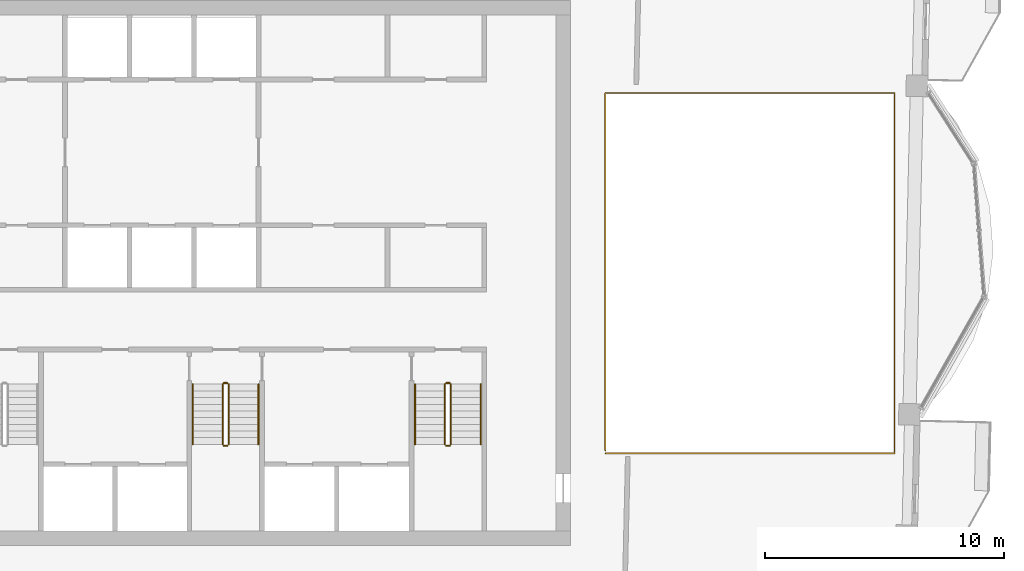
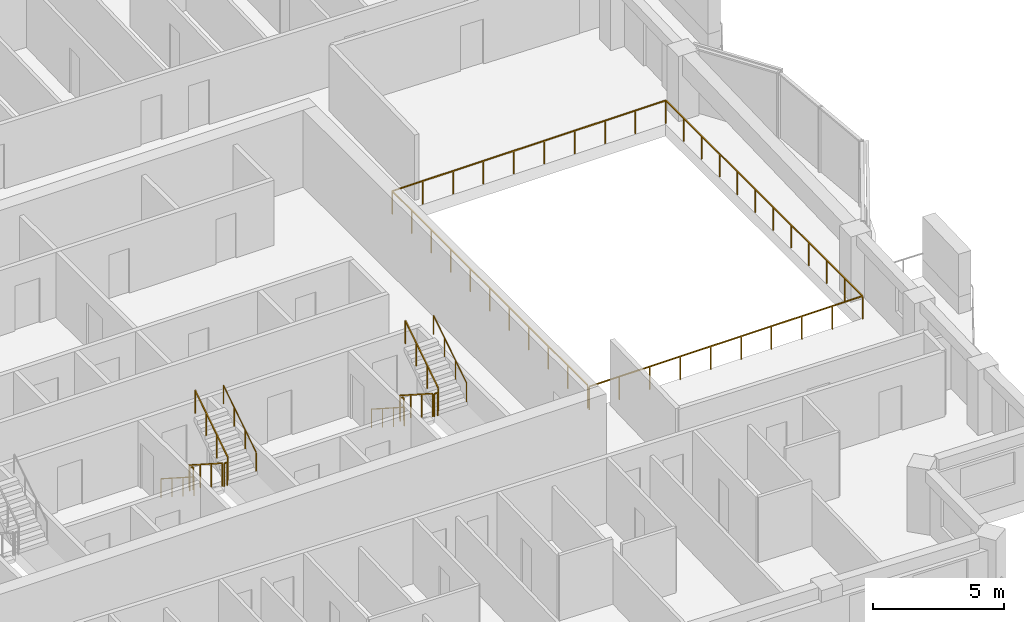
# One storey, part 14 of 15: 13 railings.
"""IFC4 building model written with IfcOpenShell, lengths in metres."""

import ifcopenshell
import ifcopenshell.guid

model = None  # the IFC model being written
_history = None  # IfcOwnerHistory: only IFC2X3 demands one
_inside = {}  # id of a spatial element -> (the spatial element, [elements in it])
_under = {}  # id of a project, library or spatial element -> (it, [spatial elements below it])
_declared = {}  # id of a project -> (the project, [libraries it declares])
_typed = {}  # id of a type object -> (the type object, [elements of that type])
_made_of = {}  # id of a material, layer set ... -> (it, [elements and type objects made of it])


def new_model(schema):
    """Start an empty IFC model of exactly this schema.

    Asked for "IFC4X3", IfcOpenShell would pick the latest addendum, in which some entities
    have other attributes; the version numbers below select the first issue.
    IFC2X3 requires an IfcOwnerHistory on every rooted entity: one is made here for all.
    """
    global model, _history
    if schema == "IFC4X3":
        model = ifcopenshell.file(schema_version=(4, 3, 0, 0))
    else:
        model = ifcopenshell.file(schema=schema)
    _inside.clear()
    _under.clear()
    _declared.clear()
    _typed.clear()
    _made_of.clear()
    _history = None
    if model.schema == "IFC2X3":
        org = make("IfcOrganization", Name="unknown")
        user = make(
            "IfcPersonAndOrganization",
            ThePerson=make("IfcPerson", FamilyName="unknown"),
            TheOrganization=org,
        )
        app = make(
            "IfcApplication",
            ApplicationDeveloper=org,
            Version="unknown",
            ApplicationFullName="unknown",
            ApplicationIdentifier="unknown",
        )
        _history = make(
            "IfcOwnerHistory",
            OwningUser=user,
            OwningApplication=app,
            ChangeAction="ADDED",
            CreationDate=0,
        )
    return model


def make(cls, **values):
    """One entity of the class cls with the attributes given. An attribute that is None is left unset."""
    return model.create_entity(
        cls, **{name: value for name, value in values.items() if value is not None}
    )


def rooted(cls, **values):
    """An entity with a GlobalId (a new one), such as an element, a storey or a relation."""
    return make(cls, GlobalId=ifcopenshell.guid.new(), OwnerHistory=_history, **values)


def si_unit(unit_type, name, prefix=None):
    """IfcSIUnit, for example si_unit("LENGTHUNIT", "METRE", prefix="MILLI")."""
    return make("IfcSIUnit", UnitType=unit_type, Prefix=prefix, Name=name)


def assignment(units):
    """IfcUnitAssignment: the units of a project."""
    return None if units is None else make("IfcUnitAssignment", Units=units)


def point(xyz):
    """IfcCartesianPoint."""
    return None if xyz is None else make("IfcCartesianPoint", Coordinates=xyz)


def direction(xyz):
    """IfcDirection."""
    return None if xyz is None else make("IfcDirection", DirectionRatios=xyz)


def frame(location, z_axis=None, x_axis=None):
    """IfcAxis2Placement3D, a coordinate frame: its origin and axes. An axis left out is left unset."""
    return make(
        "IfcAxis2Placement3D",
        Location=point(location),
        Axis=direction(z_axis),
        RefDirection=direction(x_axis),
    )


def frame_2d(location, x_axis=None):
    """IfcAxis2Placement2D, a coordinate frame in the plane: its origin and x axis."""
    return make(
        "IfcAxis2Placement2D", Location=point(location), RefDirection=direction(x_axis)
    )


def origin():
    """The frame at (0, 0, 0) with its axes left unset."""
    return frame((0.0, 0.0, 0.0))


def origin_2d():
    """The frame at (0, 0) in the plane with its x axis left unset."""
    return frame_2d((0.0, 0.0))


def place(relative_to, where):
    """IfcLocalPlacement: puts the frame where relative to a parent placement (None: the world)."""
    return make(
        "IfcLocalPlacement", PlacementRelTo=relative_to, RelativePlacement=where
    )


def context(
    kind, dimensions, precision=None, world=None, true_north=None, identifier=None
):
    """IfcGeometricRepresentationContext, for example the 3D "Model" context."""
    return make(
        "IfcGeometricRepresentationContext",
        ContextIdentifier=identifier,
        ContextType=kind,
        CoordinateSpaceDimension=dimensions,
        Precision=precision,
        WorldCoordinateSystem=world,
        TrueNorth=true_north,
    )


def subcontext(parent, identifier, kind, view, scale=None):
    """IfcGeometricRepresentationSubContext, for example "Body" below "Model"."""
    return make(
        "IfcGeometricRepresentationSubContext",
        ContextIdentifier=identifier,
        ContextType=kind,
        ParentContext=parent,
        TargetScale=scale,
        TargetView=view,
    )


def project(units=None, contexts=None):
    """IfcProject with its units and contexts."""
    return rooted(
        "IfcProject",
        Name="project",
        RepresentationContexts=contexts,
        UnitsInContext=assignment(units),
    )


def spatial(cls, under=None, at=None, **own):
    """A site, building, storey or space (cls), placed at a placement, below another one or the project."""
    s = rooted(cls, ObjectPlacement=at, **own)
    if under is not None:
        _under.setdefault(under.id(), (under, []))[1].append(s)
    return s


def profile(cls, at=None, kind="AREA", **sizes):
    """A parametric profile (cls). Its sizes go by their IFC names, for example OverallWidth=200.0."""
    return make(cls, ProfileType=kind, Position=at, **sizes)


def rectangle(**sizes):
    """IfcRectangleProfileDef."""
    return profile("IfcRectangleProfileDef", **sizes)


def circle(**sizes):
    """IfcCircleProfileDef."""
    return profile("IfcCircleProfileDef", **sizes)


def extrude(swept, where, along, depth):
    """IfcExtrudedAreaSolid: the profile swept, set in the frame where, extruded along a direction by depth."""
    return make(
        "IfcExtrudedAreaSolid",
        SweptArea=swept,
        Position=where,
        ExtrudedDirection=direction(along),
        Depth=depth,
    )


def shape(context_of_items, identifier, shape_type, items):
    """IfcShapeRepresentation: the items that make up one representation, for example the "Body"."""
    return make(
        "IfcShapeRepresentation",
        ContextOfItems=context_of_items,
        RepresentationIdentifier=identifier,
        RepresentationType=shape_type,
        Items=items,
    )


def material(Name=None, Category=None):
    """IfcMaterial."""
    return make("IfcMaterial", Name=Name, Category=Category)


def made_of(thing, what):
    """Note that an element or type object is made of a material, layer set ...; save() writes the relation."""
    if what is not None:
        _made_of.setdefault(what.id(), (what, []))[1].append(thing)
    return thing


def type_object(cls, material=None, **own):
    """A type object (cls), such as IfcWallType, which elements share."""
    return made_of(rooted(cls, **own), material)


def element(
    cls,
    number,
    at=None,
    inside=None,
    cuts=None,
    type_object=None,
    material=None,
    context=None,
    identifier="Body",
    shape_type=None,
    held_by="IfcProductDefinitionShape",
    body=None,
    shapes=None,
    **own,
):
    """One element of the class cls, such as IfcWall. Its Tag is "e" and its number.

    at: its placement. inside: the storey or other place that contains it. cuts: it is an
    opening in that element (IfcRelVoidsElement). A single representation is given by context,
    identifier, shape_type and body (its items); several are given by shapes. held_by: the class
    of the entity that holds the representations. save() writes the other relations.
    """
    e = rooted(cls, Tag="e%d" % number, ObjectPlacement=at, **own)
    if body is not None:
        shapes = [shape(context, identifier, shape_type, body)]
    if shapes is not None:
        e.Representation = make(held_by, Representations=shapes)
    if inside is not None:
        _inside.setdefault(inside.id(), (inside, []))[1].append(e)
    if cuts is not None:
        rooted(
            "IfcRelVoidsElement", RelatingBuildingElement=cuts, RelatedOpeningElement=e
        )
    if type_object is not None:
        _typed.setdefault(type_object.id(), (type_object, []))[1].append(e)
    return made_of(e, material)


def aggregate(whole, parts):
    """IfcRelAggregates: a whole, such as a stair, and the parts it consists of."""
    return rooted("IfcRelAggregates", RelatingObject=whole, RelatedObjects=parts)


def save(model, path):
    """Write the relations noted so far, then the file.

    IfcRelAggregates (storeys below a building ...), IfcRelContainedInSpatialStructure (elements
    in a storey), IfcRelDefinesByType, IfcRelAssociatesMaterial and IfcRelDeclares: one each for
    every whole, place, type object, material and project.
    """
    for whole, parts in _under.values():
        aggregate(whole, parts)
    for where, things in _inside.values():
        rooted(
            "IfcRelContainedInSpatialStructure",
            RelatedElements=things,
            RelatingStructure=where,
        )
    for kind, things in _typed.values():
        rooted("IfcRelDefinesByType", RelatedObjects=things, RelatingType=kind)
    for what, things in _made_of.values():
        rooted("IfcRelAssociatesMaterial", RelatedObjects=things, RelatingMaterial=what)
    for by, libraries in _declared.values():
        rooted("IfcRelDeclares", RelatingContext=by, RelatedDefinitions=libraries)
    model.write(path)


model = new_model("IFC4")

# Units and contexts
model_context = context("Model", 3, precision=1e-05, world=origin(), true_north=direction((0.0, 1.0)))
body_context = subcontext(model_context, "Body", "Model", "MODEL_VIEW")
ifc_project = project(units=[si_unit("LENGTHUNIT", "METRE"), si_unit("AREAUNIT", "SQUARE_METRE"), si_unit("VOLUMEUNIT", "CUBIC_METRE"), si_unit("PLANEANGLEUNIT", "RADIAN"), si_unit("MASSUNIT", "GRAM", prefix="KILO")], contexts=[model_context])

# Site, building, storey
site_placement = place(None, origin())
site = spatial("IfcSite", under=ifc_project, at=site_placement, CompositionType="ELEMENT")
building_placement = place(site_placement, origin())
building = spatial("IfcBuilding", under=site, at=building_placement, Name="Mangrove Gate Tower", CompositionType="ELEMENT")
storey_placement = place(building_placement, frame((0.0, 0.0, 306.10009765625)))
storey = spatial("IfcBuildingStorey", under=building, at=storey_placement, Name="L78", CompositionType="ELEMENT", Elevation=306.10009765625)

# Railings
ifc_material_1 = material(Name="Stainless steel grade 316 with laminated glass infill", Category="steel")
railing_type_1 = type_object("IfcRailingType", Name="Balcony guard 1100", PredefinedType="GUARDRAIL", material=ifc_material_1)
railing_1_placement = place(storey_placement, frame((15.860107421875, -7.5400390625, 0.0)))
element("IfcRailing", 1, at=railing_1_placement, inside=storey, type_object=railing_type_1, Name="GUARD L78 atrium", PredefinedType="GUARDRAIL", context=body_context, shape_type="SweptSolid", body=[
    extrude(rectangle(XDim=0.048095703125, YDim=0.048095703125, at=origin_2d()), frame((0.0, 0.0, 1.076171875), z_axis=(1.0, 0.0, 0.0), x_axis=(0.0, 1.0, 0.0)), (0.0, 0.0, 1.0), 12.101806640625),
    extrude(rectangle(XDim=0.048095703125, YDim=0.048095703125, at=origin_2d()), frame((12.101806640625, 0.0, 1.076171875), z_axis=(0.0, 1.0, 0.0), x_axis=(-1.0, 0.0, 0.0)), (0.0, 0.0, 1.0), 15.080078125),
    extrude(rectangle(XDim=0.048095703125, YDim=0.048095703125, at=origin_2d()), frame((12.101806640625, 15.080078125, 1.076171875), z_axis=(-1.0, 0.0, 0.0), x_axis=(0.0, -1.0, 0.0)), (0.0, 0.0, 1.0), 12.101806640625),
    extrude(rectangle(XDim=0.048095703125, YDim=0.048095703125, at=origin_2d()), frame((0.0, 15.080078125, 1.076171875), z_axis=(0.0, -1.0, 0.0), x_axis=(1.0, 0.0, 0.0)), (0.0, 0.0, 1.0), 14.9599609375),
    extrude(rectangle(XDim=0.0419921875, YDim=0.0419921875, at=origin_2d()), origin(), (0.0, 0.0, 1.0), 1.052001953125),
    extrude(rectangle(XDim=0.0419921875, YDim=0.0419921875, at=origin_2d()), frame((1.3447265625, 0.0, 0.0)), (0.0, 0.0, 1.0), 1.052001953125),
    extrude(rectangle(XDim=0.0419921875, YDim=0.0419921875, at=origin_2d()), frame((2.689208984375, 0.0, 0.0)), (0.0, 0.0, 1.0), 1.052001953125),
    extrude(rectangle(XDim=0.0419921875, YDim=0.0419921875, at=origin_2d()), frame((4.033935546875, 0.0, 0.0)), (0.0, 0.0, 1.0), 1.052001953125),
    extrude(rectangle(XDim=0.0419921875, YDim=0.0419921875, at=origin_2d()), frame((5.378662109375, 0.0, 0.0)), (0.0, 0.0, 1.0), 1.052001953125),
    extrude(rectangle(XDim=0.0419921875, YDim=0.0419921875, at=origin_2d()), frame((6.72314453125, 0.0, 0.0)), (0.0, 0.0, 1.0), 1.052001953125),
    extrude(rectangle(XDim=0.0419921875, YDim=0.0419921875, at=origin_2d()), frame((8.06787109375, 0.0, 0.0)), (0.0, 0.0, 1.0), 1.052001953125),
    extrude(rectangle(XDim=0.0419921875, YDim=0.0419921875, at=origin_2d()), frame((9.41259765625, 0.0, 0.0)), (0.0, 0.0, 1.0), 1.052001953125),
    extrude(rectangle(XDim=0.0419921875, YDim=0.0419921875, at=origin_2d()), frame((10.757080078125, 0.0, 0.0)), (0.0, 0.0, 1.0), 1.052001953125),
    extrude(rectangle(XDim=0.0419921875, YDim=0.0419921875, at=origin_2d()), frame((12.101806640625, 0.0, 0.0)), (0.0, 0.0, 1.0), 1.052001953125),
    extrude(rectangle(XDim=0.0419921875, YDim=0.0419921875, at=origin_2d()), frame((12.101806640625, 1.370849609375, 0.0)), (0.0, 0.0, 1.0), 1.052001953125),
    extrude(rectangle(XDim=0.0419921875, YDim=0.0419921875, at=origin_2d()), frame((12.101806640625, 2.741943359375, 0.0)), (0.0, 0.0, 1.0), 1.052001953125),
    extrude(rectangle(XDim=0.0419921875, YDim=0.0419921875, at=origin_2d()), frame((12.101806640625, 4.11279296875, 0.0)), (0.0, 0.0, 1.0), 1.052001953125),
    extrude(rectangle(XDim=0.0419921875, YDim=0.0419921875, at=origin_2d()), frame((12.101806640625, 5.483642578125, 0.0)), (0.0, 0.0, 1.0), 1.052001953125),
    extrude(rectangle(XDim=0.0419921875, YDim=0.0419921875, at=origin_2d()), frame((12.101806640625, 6.8544921875, 0.0)), (0.0, 0.0, 1.0), 1.052001953125),
    extrude(rectangle(XDim=0.0419921875, YDim=0.0419921875, at=origin_2d()), frame((12.101806640625, 8.2255859375, 0.0)), (0.0, 0.0, 1.0), 1.052001953125),
    extrude(rectangle(XDim=0.0419921875, YDim=0.0419921875, at=origin_2d()), frame((12.101806640625, 9.596435546875, 0.0)), (0.0, 0.0, 1.0), 1.052001953125),
    extrude(rectangle(XDim=0.0419921875, YDim=0.0419921875, at=origin_2d()), frame((12.101806640625, 10.96728515625, 0.0)), (0.0, 0.0, 1.0), 1.052001953125),
    extrude(rectangle(XDim=0.0419921875, YDim=0.0419921875, at=origin_2d()), frame((12.101806640625, 12.338134765625, 0.0)), (0.0, 0.0, 1.0), 1.052001953125),
    extrude(rectangle(XDim=0.0419921875, YDim=0.0419921875, at=origin_2d()), frame((12.101806640625, 13.709228515625, 0.0)), (0.0, 0.0, 1.0), 1.052001953125),
    extrude(rectangle(XDim=0.0419921875, YDim=0.0419921875, at=origin_2d()), frame((12.101806640625, 15.080078125, 0.0)), (0.0, 0.0, 1.0), 1.052001953125),
    extrude(rectangle(XDim=0.0419921875, YDim=0.0419921875, at=origin_2d()), frame((10.757080078125, 15.080078125, 0.0)), (0.0, 0.0, 1.0), 1.052001953125),
    extrude(rectangle(XDim=0.0419921875, YDim=0.0419921875, at=origin_2d()), frame((9.41259765625, 15.080078125, 0.0)), (0.0, 0.0, 1.0), 1.052001953125),
    extrude(rectangle(XDim=0.0419921875, YDim=0.0419921875, at=origin_2d()), frame((8.06787109375, 15.080078125, 0.0)), (0.0, 0.0, 1.0), 1.052001953125),
    extrude(rectangle(XDim=0.0419921875, YDim=0.0419921875, at=origin_2d()), frame((6.72314453125, 15.080078125, 0.0)), (0.0, 0.0, 1.0), 1.052001953125),
    extrude(rectangle(XDim=0.0419921875, YDim=0.0419921875, at=origin_2d()), frame((5.378662109375, 15.080078125, 0.0)), (0.0, 0.0, 1.0), 1.052001953125),
    extrude(rectangle(XDim=0.0419921875, YDim=0.0419921875, at=origin_2d()), frame((4.033935546875, 15.080078125, 0.0)), (0.0, 0.0, 1.0), 1.052001953125),
    extrude(rectangle(XDim=0.0419921875, YDim=0.0419921875, at=origin_2d()), frame((2.689208984375, 15.080078125, 0.0)), (0.0, 0.0, 1.0), 1.052001953125),
    extrude(rectangle(XDim=0.0419921875, YDim=0.0419921875, at=origin_2d()), frame((1.3447265625, 15.080078125, 0.0)), (0.0, 0.0, 1.0), 1.052001953125),
    extrude(rectangle(XDim=0.0419921875, YDim=0.0419921875, at=origin_2d()), frame((0.0, 15.080078125, 0.0)), (0.0, 0.0, 1.0), 1.052001953125),
    extrude(rectangle(XDim=0.0419921875, YDim=0.0419921875, at=origin_2d()), frame((0.0, 13.583984375, 0.0)), (0.0, 0.0, 1.0), 1.052001953125),
    extrude(rectangle(XDim=0.0419921875, YDim=0.0419921875, at=origin_2d()), frame((0.0, 12.088134765625, 0.0)), (0.0, 0.0, 1.0), 1.052001953125),
    extrude(rectangle(XDim=0.0419921875, YDim=0.0419921875, at=origin_2d()), frame((0.0, 10.592041015625, 0.0)), (0.0, 0.0, 1.0), 1.052001953125),
    extrude(rectangle(XDim=0.0419921875, YDim=0.0419921875, at=origin_2d()), frame((0.0, 9.09619140625, 0.0)), (0.0, 0.0, 1.0), 1.052001953125),
    extrude(rectangle(XDim=0.0419921875, YDim=0.0419921875, at=origin_2d()), frame((0.0, 7.60009765625, 0.0)), (0.0, 0.0, 1.0), 1.052001953125),
    extrude(rectangle(XDim=0.0419921875, YDim=0.0419921875, at=origin_2d()), frame((0.0, 6.10400390625, 0.0)), (0.0, 0.0, 1.0), 1.052001953125),
    extrude(rectangle(XDim=0.0419921875, YDim=0.0419921875, at=origin_2d()), frame((0.0, 4.608154296875, 0.0)), (0.0, 0.0, 1.0), 1.052001953125),
    extrude(rectangle(XDim=0.0419921875, YDim=0.0419921875, at=origin_2d()), frame((0.0, 3.112060546875, 0.0)), (0.0, 0.0, 1.0), 1.052001953125),
    extrude(rectangle(XDim=0.0419921875, YDim=0.0419921875, at=origin_2d()), frame((0.0, 1.6162109375, 0.0)), (0.0, 0.0, 1.0), 1.052001953125),
    extrude(rectangle(XDim=0.0419921875, YDim=0.0419921875, at=origin_2d()), frame((0.0, 0.1201171875, 0.0)), (0.0, 0.0, 1.0), 1.052001953125),
])
ifc_material_2 = material(Name="Stainless steel 316", Category="steel")
railing_type_2 = type_object("IfcRailingType", Name="Core stair guard 1100", PredefinedType="GUARDRAIL", material=ifc_material_2)
railing_2_placement = place(storey_placement, frame((-0.14990234375, -4.64990234375, 0.179931640625)))
element("IfcRailing", 2, at=railing_2_placement, inside=storey, type_object=railing_type_2, Name="L78 ST2 stair guard 1", PredefinedType="GUARDRAIL", context=body_context, shape_type="SweptSolid", body=[
    extrude(rectangle(XDim=0.048095703125, YDim=0.048095703125, at=origin_2d()), frame((0.0, 0.0, 1.076171875), z_axis=(0.0, -0.841199657755, 0.540724639528), x_axis=(1.0, 0.0, 0.0)), (0.0, 0.0, 1.0), 2.995849609375),
    extrude(rectangle(XDim=0.0419921875, YDim=0.0419921875, at=origin_2d()), origin(), (0.0, 0.0, 1.0), 1.052001953125),
    extrude(rectangle(XDim=0.0419921875, YDim=0.0419921875, at=origin_2d()), frame((0.0, -0.840087890625, 0.5400390625)), (0.0, 0.0, 1.0), 1.052001953125),
    extrude(rectangle(XDim=0.0419921875, YDim=0.0419921875, at=origin_2d()), frame((0.0, -1.679931640625, 1.079833984375)), (0.0, 0.0, 1.0), 1.052001953125),
    extrude(rectangle(XDim=0.0419921875, YDim=0.0419921875, at=origin_2d()), frame((0.0, -2.52001953125, 1.619873046875)), (0.0, 0.0, 1.0), 1.052001953125),
])
railing_3_placement = place(storey_placement, frame((-0.10009765625, -7.219970703125, 1.7998046875)))
element("IfcRailing", 3, at=railing_3_placement, inside=storey, type_object=railing_type_2, Name="L78 ST2 stair guard 2", PredefinedType="GUARDRAIL", context=body_context, shape_type="SweptSolid", body=[
    extrude(rectangle(XDim=0.048095703125, YDim=0.048095703125, at=origin_2d()), frame((0.0, 0.0, 1.076171875), z_axis=(1.0, 0.0, 0.0), x_axis=(0.0, 1.0, 0.0)), (0.0, 0.0, 1.0), 0.150146484375),
    extrude(rectangle(XDim=0.0419921875, YDim=0.0419921875, at=origin_2d()), origin(), (0.0, 0.0, 1.0), 1.052001953125),
    extrude(rectangle(XDim=0.0419921875, YDim=0.0419921875, at=origin_2d()), frame((0.150146484375, 0.0, 0.0)), (0.0, 0.0, 1.0), 1.052001953125),
])
railing_4_placement = place(storey_placement, frame((0.10009765625, -7.169921875, 1.97998046875)))
element("IfcRailing", 4, at=railing_4_placement, inside=storey, type_object=railing_type_2, Name="L78 ST2 stair guard 3", PredefinedType="GUARDRAIL", context=body_context, shape_type="SweptSolid", body=[
    extrude(rectangle(XDim=0.048095703125, YDim=0.048095703125, at=origin_2d()), frame((0.0, 0.0, 1.076171875), z_axis=(0.0, 0.841199657755, 0.540724639528), x_axis=(-1.0, 0.0, 0.0)), (0.0, 0.0, 1.0), 2.995849609375),
    extrude(rectangle(XDim=0.0419921875, YDim=0.0419921875, at=origin_2d()), origin(), (0.0, 0.0, 1.0), 1.052001953125),
    extrude(rectangle(XDim=0.0419921875, YDim=0.0419921875, at=origin_2d()), frame((0.0, 0.840087890625, 0.5400390625)), (0.0, 0.0, 1.0), 1.052001953125),
    extrude(rectangle(XDim=0.0419921875, YDim=0.0419921875, at=origin_2d()), frame((0.0, 1.679931640625, 1.079833984375)), (0.0, 0.0, 1.0), 1.052001953125),
    extrude(rectangle(XDim=0.0419921875, YDim=0.0419921875, at=origin_2d()), frame((0.0, 2.52001953125, 1.619873046875)), (0.0, 0.0, 1.0), 1.052001953125),
])
railing_5_placement = place(storey_placement, frame((-0.10009765625, -4.60009765625, 0.0)))
element("IfcRailing", 5, at=railing_5_placement, inside=storey, type_object=railing_type_2, Name="L78 ST2 stair guard 4", PredefinedType="GUARDRAIL", context=body_context, shape_type="SweptSolid", body=[
    extrude(rectangle(XDim=0.048095703125, YDim=0.048095703125, at=origin_2d()), frame((0.0, 0.0, 1.076171875), z_axis=(1.0, 0.0, 0.0), x_axis=(0.0, 1.0, 0.0)), (0.0, 0.0, 1.0), 0.150146484375),
    extrude(rectangle(XDim=0.0419921875, YDim=0.0419921875, at=origin_2d()), origin(), (0.0, 0.0, 1.0), 1.052001953125),
    extrude(rectangle(XDim=0.0419921875, YDim=0.0419921875, at=origin_2d()), frame((0.150146484375, 0.0, 0.0)), (0.0, 0.0, 1.0), 1.052001953125),
])
railing_6_placement = place(storey_placement, frame((9.14990234375, -4.64990234375, 0.179931640625)))
element("IfcRailing", 6, at=railing_6_placement, inside=storey, type_object=railing_type_2, Name="L78 ST3 stair guard 1", PredefinedType="GUARDRAIL", context=body_context, shape_type="SweptSolid", body=[
    extrude(rectangle(XDim=0.048095703125, YDim=0.048095703125, at=origin_2d()), frame((0.0, 0.0, 1.076171875), z_axis=(0.0, -0.841199657755, 0.540724639528), x_axis=(1.0, 0.0, 0.0)), (0.0, 0.0, 1.0), 2.995849609375),
    extrude(rectangle(XDim=0.0419921875, YDim=0.0419921875, at=origin_2d()), origin(), (0.0, 0.0, 1.0), 1.052001953125),
    extrude(rectangle(XDim=0.0419921875, YDim=0.0419921875, at=origin_2d()), frame((0.0, -0.840087890625, 0.5400390625)), (0.0, 0.0, 1.0), 1.052001953125),
    extrude(rectangle(XDim=0.0419921875, YDim=0.0419921875, at=origin_2d()), frame((0.0, -1.679931640625, 1.079833984375)), (0.0, 0.0, 1.0), 1.052001953125),
    extrude(rectangle(XDim=0.0419921875, YDim=0.0419921875, at=origin_2d()), frame((0.0, -2.52001953125, 1.619873046875)), (0.0, 0.0, 1.0), 1.052001953125),
])
railing_7_placement = place(storey_placement, frame((9.199951171875, -7.219970703125, 1.7998046875)))
element("IfcRailing", 7, at=railing_7_placement, inside=storey, type_object=railing_type_2, Name="L78 ST3 stair guard 2", PredefinedType="GUARDRAIL", context=body_context, shape_type="SweptSolid", body=[
    extrude(rectangle(XDim=0.048095703125, YDim=0.048095703125, at=origin_2d()), frame((0.0, 0.0, 1.076171875), z_axis=(1.0, 0.0, 0.0), x_axis=(0.0, 1.0, 0.0)), (0.0, 0.0, 1.0), 0.150146484375),
    extrude(rectangle(XDim=0.0419921875, YDim=0.0419921875, at=origin_2d()), origin(), (0.0, 0.0, 1.0), 1.052001953125),
    extrude(rectangle(XDim=0.0419921875, YDim=0.0419921875, at=origin_2d()), frame((0.150146484375, 0.0, 0.0)), (0.0, 0.0, 1.0), 1.052001953125),
])
railing_8_placement = place(storey_placement, frame((9.39990234375, -7.169921875, 1.97998046875)))
element("IfcRailing", 8, at=railing_8_placement, inside=storey, type_object=railing_type_2, Name="L78 ST3 stair guard 3", PredefinedType="GUARDRAIL", context=body_context, shape_type="SweptSolid", body=[
    extrude(rectangle(XDim=0.048095703125, YDim=0.048095703125, at=origin_2d()), frame((0.0, 0.0, 1.076171875), z_axis=(0.0, 0.841199657755, 0.540724639528), x_axis=(-1.0, 0.0, 0.0)), (0.0, 0.0, 1.0), 2.995849609375),
    extrude(rectangle(XDim=0.0419921875, YDim=0.0419921875, at=origin_2d()), origin(), (0.0, 0.0, 1.0), 1.052001953125),
    extrude(rectangle(XDim=0.0419921875, YDim=0.0419921875, at=origin_2d()), frame((0.0, 0.840087890625, 0.5400390625)), (0.0, 0.0, 1.0), 1.052001953125),
    extrude(rectangle(XDim=0.0419921875, YDim=0.0419921875, at=origin_2d()), frame((0.0, 1.679931640625, 1.079833984375)), (0.0, 0.0, 1.0), 1.052001953125),
    extrude(rectangle(XDim=0.0419921875, YDim=0.0419921875, at=origin_2d()), frame((0.0, 2.52001953125, 1.619873046875)), (0.0, 0.0, 1.0), 1.052001953125),
])
railing_9_placement = place(storey_placement, frame((9.199951171875, -4.60009765625, 0.0)))
element("IfcRailing", 9, at=railing_9_placement, inside=storey, type_object=railing_type_2, Name="L78 ST3 stair guard 4", PredefinedType="GUARDRAIL", context=body_context, shape_type="SweptSolid", body=[
    extrude(rectangle(XDim=0.048095703125, YDim=0.048095703125, at=origin_2d()), frame((0.0, 0.0, 1.076171875), z_axis=(1.0, 0.0, 0.0), x_axis=(0.0, 1.0, 0.0)), (0.0, 0.0, 1.0), 0.150146484375),
    extrude(rectangle(XDim=0.0419921875, YDim=0.0419921875, at=origin_2d()), origin(), (0.0, 0.0, 1.0), 1.052001953125),
    extrude(rectangle(XDim=0.0419921875, YDim=0.0419921875, at=origin_2d()), frame((0.150146484375, 0.0, 0.0)), (0.0, 0.0, 1.0), 1.052001953125),
])
ifc_material_3 = material(Name="Stainless steel 316", Category="steel")
railing_type_3 = type_object("IfcRailingType", Name="Core stair handrail 900", PredefinedType="HANDRAIL", material=ifc_material_3)
railing_10_placement = place(storey_placement, frame((-1.39990234375, -4.64990234375, 0.179931640625)))
element("IfcRailing", 10, at=railing_10_placement, inside=storey, type_object=railing_type_3, Name="L78 ST2 stair handrail 1", PredefinedType="HANDRAIL", context=body_context, shape_type="SweptSolid", body=[
    extrude(circle(Radius=0.02392578125, at=origin_2d()), frame((0.0, 0.0, 0.8759765625), z_axis=(0.0, -0.841199657755, 0.540724639528), x_axis=(1.0, 0.0, 0.0)), (0.0, 0.0, 1.0), 2.995849609375),
    extrude(circle(Radius=0.02099609375, at=origin_2d()), origin(), (0.0, 0.0, 1.0), 0.851806640625),
    extrude(circle(Radius=0.02099609375, at=origin_2d()), frame((0.0, -0.840087890625, 0.5400390625)), (0.0, 0.0, 1.0), 0.851806640625),
    extrude(circle(Radius=0.02099609375, at=origin_2d()), frame((0.0, -1.679931640625, 1.079833984375)), (0.0, 0.0, 1.0), 0.851806640625),
    extrude(circle(Radius=0.02099609375, at=origin_2d()), frame((0.0, -2.52001953125, 1.619873046875)), (0.0, 0.0, 1.0), 0.851806640625),
])
railing_11_placement = place(storey_placement, frame((1.35009765625, -7.169921875, 1.97998046875)))
element("IfcRailing", 11, at=railing_11_placement, inside=storey, type_object=railing_type_3, Name="L78 ST2 stair handrail 2", PredefinedType="HANDRAIL", context=body_context, shape_type="SweptSolid", body=[
    extrude(circle(Radius=0.02392578125, at=origin_2d()), frame((0.0, 0.0, 0.8759765625), z_axis=(0.0, 0.841199657755, 0.540724639528), x_axis=(-1.0, 0.0, 0.0)), (0.0, 0.0, 1.0), 2.995849609375),
    extrude(circle(Radius=0.02099609375, at=origin_2d()), origin(), (0.0, 0.0, 1.0), 0.851806640625),
    extrude(circle(Radius=0.02099609375, at=origin_2d()), frame((0.0, 0.840087890625, 0.5400390625)), (0.0, 0.0, 1.0), 0.851806640625),
    extrude(circle(Radius=0.02099609375, at=origin_2d()), frame((0.0, 1.679931640625, 1.079833984375)), (0.0, 0.0, 1.0), 0.851806640625),
    extrude(circle(Radius=0.02099609375, at=origin_2d()), frame((0.0, 2.52001953125, 1.619873046875)), (0.0, 0.0, 1.0), 0.851806640625),
])
railing_12_placement = place(storey_placement, frame((7.89990234375, -4.64990234375, 0.179931640625)))
element("IfcRailing", 12, at=railing_12_placement, inside=storey, type_object=railing_type_3, Name="L78 ST3 stair handrail 1", PredefinedType="HANDRAIL", context=body_context, shape_type="SweptSolid", body=[
    extrude(circle(Radius=0.02392578125, at=origin_2d()), frame((0.0, 0.0, 0.8759765625), z_axis=(0.0, -0.841199657755, 0.540724639528), x_axis=(1.0, 0.0, 0.0)), (0.0, 0.0, 1.0), 2.995849609375),
    extrude(circle(Radius=0.02099609375, at=origin_2d()), origin(), (0.0, 0.0, 1.0), 0.851806640625),
    extrude(circle(Radius=0.02099609375, at=origin_2d()), frame((0.0, -0.840087890625, 0.5400390625)), (0.0, 0.0, 1.0), 0.851806640625),
    extrude(circle(Radius=0.02099609375, at=origin_2d()), frame((0.0, -1.679931640625, 1.079833984375)), (0.0, 0.0, 1.0), 0.851806640625),
    extrude(circle(Radius=0.02099609375, at=origin_2d()), frame((0.0, -2.52001953125, 1.619873046875)), (0.0, 0.0, 1.0), 0.851806640625),
])
railing_13_placement = place(storey_placement, frame((10.64990234375, -7.169921875, 1.97998046875)))
element("IfcRailing", 13, at=railing_13_placement, inside=storey, type_object=railing_type_3, Name="L78 ST3 stair handrail 2", PredefinedType="HANDRAIL", context=body_context, shape_type="SweptSolid", body=[
    extrude(circle(Radius=0.02392578125, at=origin_2d()), frame((0.0, 0.0, 0.8759765625), z_axis=(0.0, 0.841199657755, 0.540724639528), x_axis=(-1.0, 0.0, 0.0)), (0.0, 0.0, 1.0), 2.995849609375),
    extrude(circle(Radius=0.02099609375, at=origin_2d()), origin(), (0.0, 0.0, 1.0), 0.851806640625),
    extrude(circle(Radius=0.02099609375, at=origin_2d()), frame((0.0, 0.840087890625, 0.5400390625)), (0.0, 0.0, 1.0), 0.851806640625),
    extrude(circle(Radius=0.02099609375, at=origin_2d()), frame((0.0, 1.679931640625, 1.079833984375)), (0.0, 0.0, 1.0), 0.851806640625),
    extrude(circle(Radius=0.02099609375, at=origin_2d()), frame((0.0, 2.52001953125, 1.619873046875)), (0.0, 0.0, 1.0), 0.851806640625),
])

save(model, "model.ifc")
